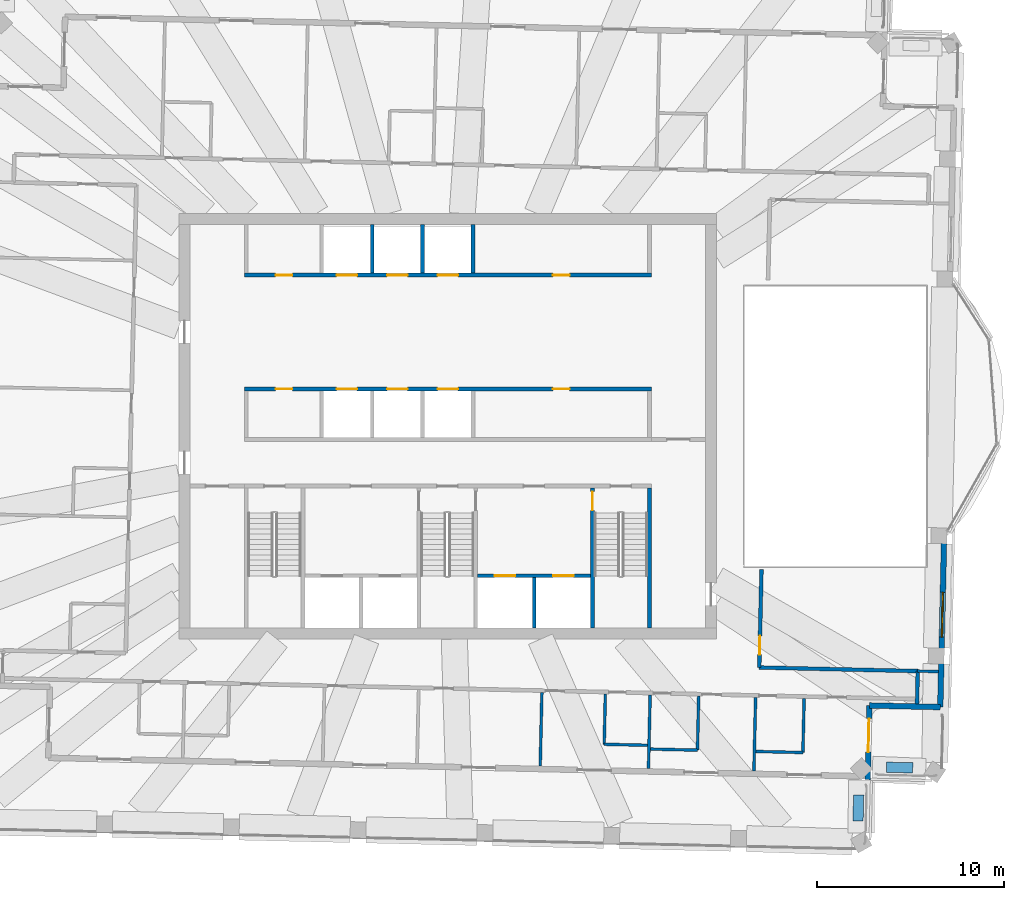
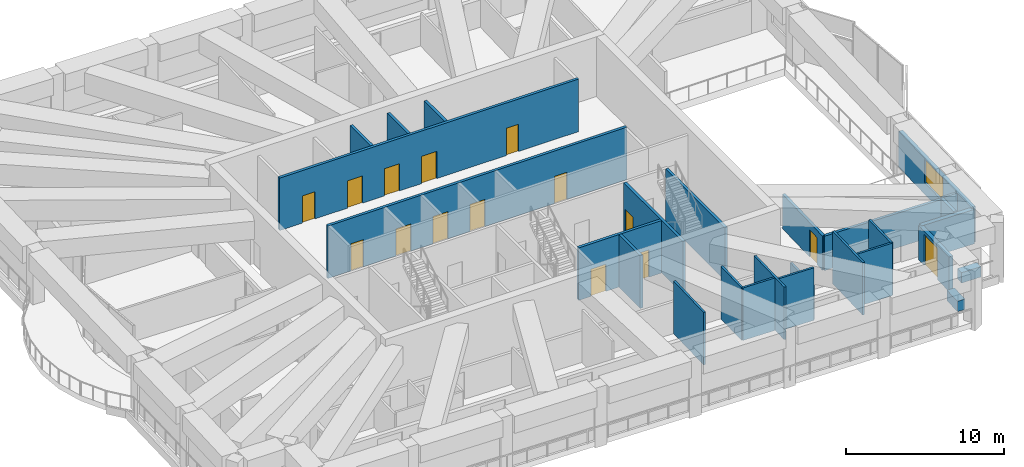
# One storey, part 9 of 17: 27 walls, 15 doors, 1 window, 16 openings.
"""IFC4 building model written with IfcOpenShell, lengths in metres."""

from ifc_helpers import new_model, si_unit, direction, frame, frame_2d, origin, place, context, subcontext, project, spatial, rectangle, extrude, material, layer, layer_set, type_object, element, fill, save


model = new_model("IFC4")

# Units and contexts
model_context = context("Model", 3, precision=1e-05, world=origin(), true_north=direction((0.0, 1.0)))
body_context = subcontext(model_context, "Body", "Model", "MODEL_VIEW")
ifc_project = project(units=[si_unit("LENGTHUNIT", "METRE"), si_unit("AREAUNIT", "SQUARE_METRE"), si_unit("VOLUMEUNIT", "CUBIC_METRE"), si_unit("PLANEANGLEUNIT", "RADIAN"), si_unit("MASSUNIT", "GRAM", prefix="KILO")], contexts=[model_context])

# Site, building, storey
site_placement = place(None, origin())
site = spatial("IfcSite", under=ifc_project, at=site_placement, CompositionType="ELEMENT")
building_placement = place(site_placement, origin())
building = spatial("IfcBuilding", under=site, at=building_placement, Name="Mangrove Gate Tower", CompositionType="ELEMENT")
storey_placement = place(building_placement, frame((0.0, 0.0, 337.89990234375)))
storey = spatial("IfcBuildingStorey", under=building, at=storey_placement, Name="L86", CompositionType="ELEMENT", Elevation=337.89990234375)

# Wall, openings, doors
ifc_material_1 = material(Name="Concrete C50/60", Category="concrete")
ifc_layer_1 = layer(ifc_material_1, 0.199951171875)
ifc_layer_set_1 = layer_set([ifc_layer_1], Name="Core shaft wall 200 C50/60")
wall_type_1 = type_object("IfcWallType", Name="Core shaft wall 200 C50/60", PredefinedType="SHEAR", material=ifc_layer_set_1)
wall_1_placement = place(storey_placement, frame((-10.89990234375, 2.0, 0.0), z_axis=(0.0, 0.0, 1.0), x_axis=(1.0, 0.0, 0.0)))
wall_1 = element("IfcWall", 1, at=wall_1_placement, inside=storey, type_object=wall_type_1, Name="WALL-L86-CORE-7", PredefinedType="SHEAR", context=body_context, shape_type="SweptSolid", body=[
    extrude(rectangle(XDim=21.7998046875, YDim=0.199951171875, at=frame_2d((10.89990234375, 0.0))), origin(), (0.0, 0.0, 1.0), 4.050048828125),
])
opening_1_placement = place(wall_1_placement, frame((4.949951171875, 0.0, 0.0)))
opening_1 = element("IfcOpeningElement", 2, at=opening_1_placement, cuts=wall_1, Name="Opening LD", PredefinedType="OPENING", context=body_context, shape_type="SweptSolid", body=[
    extrude(rectangle(XDim=1.10009765625, YDim=2.10009765625, at=frame_2d((0.550048828125, 1.050048828125))), frame((0.0, 0.10986328125, 0.0), z_axis=(0.0, -1.0, 0.0), x_axis=(1.0, 0.0, 0.0)), (0.0, 0.0, 1.0), 0.219970703125),
])
opening_2_placement = place(wall_1_placement, frame((7.64990234375, 0.0, 0.0)))
opening_2 = element("IfcOpeningElement", 3, at=opening_2_placement, cuts=wall_1, Name="Opening LD", PredefinedType="OPENING", context=body_context, shape_type="SweptSolid", body=[
    extrude(rectangle(XDim=1.10009765625, YDim=2.10009765625, at=frame_2d((0.550048828125, 1.050048828125))), frame((0.0, 0.10986328125, 0.0), z_axis=(0.0, -1.0, 0.0), x_axis=(1.0, 0.0, 0.0)), (0.0, 0.0, 1.0), 0.219970703125),
])
opening_3_placement = place(wall_1_placement, frame((10.35009765625, 0.0, 0.0)))
opening_3 = element("IfcOpeningElement", 4, at=opening_3_placement, cuts=wall_1, Name="Opening LD", PredefinedType="OPENING", context=body_context, shape_type="SweptSolid", body=[
    extrude(rectangle(XDim=1.10009765625, YDim=2.10009765625, at=frame_2d((0.550048828125, 1.050048828125))), frame((0.0, 0.10986328125, 0.0), z_axis=(0.0, -1.0, 0.0), x_axis=(1.0, 0.0, 0.0)), (0.0, 0.0, 1.0), 0.219970703125),
])
opening_4_placement = place(wall_1_placement, frame((1.675048828125, 0.0, 0.0)))
opening_4 = element("IfcOpeningElement", 5, at=opening_4_placement, cuts=wall_1, Name="Opening KD", PredefinedType="OPENING", context=body_context, shape_type="SweptSolid", body=[
    extrude(rectangle(XDim=0.89990234375, YDim=2.10009765625, at=frame_2d((0.449951171875, 1.050048828125))), frame((0.0, 0.10986328125, 0.0), z_axis=(0.0, -1.0, 0.0), x_axis=(1.0, 0.0, 0.0)), (0.0, 0.0, 1.0), 0.219970703125),
])
opening_5_placement = place(wall_1_placement, frame((16.52490234375, 0.0, 0.0)))
opening_5 = element("IfcOpeningElement", 6, at=opening_5_placement, cuts=wall_1, Name="Opening KD", PredefinedType="OPENING", context=body_context, shape_type="SweptSolid", body=[
    extrude(rectangle(XDim=0.89990234375, YDim=2.10009765625, at=frame_2d((0.449951171875, 1.050048828125))), frame((0.0, 0.10986328125, 0.0), z_axis=(0.0, -1.0, 0.0), x_axis=(1.0, 0.0, 0.0)), (0.0, 0.0, 1.0), 0.219970703125),
])
ifc_material_2 = material(Name="Fire-rated steel door set", Category="steel")
door_type_1 = type_object("IfcDoorType", Name="Core room door FD30S 900x2100", OperationType="SINGLE_SWING_RIGHT", PredefinedType="DOOR", material=ifc_material_2)
door_1_placement = place(opening_4_placement, origin())
door_1 = element("IfcDoor", 7, at=door_1_placement, inside=storey, type_object=door_type_1, Name="Core room door Pantry store", OperationType="SINGLE_SWING_RIGHT", OverallHeight=2.10009765625, OverallWidth=0.89990234375, PredefinedType="DOOR", context=body_context, shape_type="SweptSolid", body=[
    extrude(rectangle(XDim=0.89990234375, YDim=2.10009765625, at=frame_2d((0.449951171875, 1.050048828125))), frame((0.0, 0.02490234375, 0.0), z_axis=(0.0, -1.0, 0.0), x_axis=(1.0, 0.0, 0.0)), (0.0, 0.0, 1.0), 0.050048828125),
])
fill(opening_4, door_1)
door_2_placement = place(opening_5_placement, origin())
door_2 = element("IfcDoor", 8, at=door_2_placement, inside=storey, type_object=door_type_1, Name="Core room door Cleaner's store", OperationType="SINGLE_SWING_RIGHT", OverallHeight=2.10009765625, OverallWidth=0.89990234375, PredefinedType="DOOR", context=body_context, shape_type="SweptSolid", body=[
    extrude(rectangle(XDim=0.89990234375, YDim=2.10009765625, at=frame_2d((0.449951171875, 1.050048828125))), frame((0.0, 0.02490234375, 0.0), z_axis=(0.0, -1.0, 0.0), x_axis=(1.0, 0.0, 0.0)), (0.0, 0.0, 1.0), 0.050048828125),
])
fill(opening_5, door_2)
ifc_material_3 = material(Name="Stainless steel 316", Category="steel")
door_type_2 = type_object("IfcDoorType", Name="Lift landing door 1100x2100", OperationType="SLIDING_TO_LEFT", PredefinedType="DOOR", material=ifc_material_3)
door_3_placement = place(opening_1_placement, origin())
door_3 = element("IfcDoor", 9, at=door_3_placement, inside=storey, type_object=door_type_2, Name="Landing door LD H01", OperationType="SLIDING_TO_LEFT", OverallHeight=2.10009765625, OverallWidth=1.10009765625, PredefinedType="DOOR", context=body_context, shape_type="SweptSolid", body=[
    extrude(rectangle(XDim=1.10009765625, YDim=2.10009765625, at=frame_2d((0.550048828125, 1.050048828125))), frame((0.0, 0.02490234375, 0.0), z_axis=(0.0, -1.0, 0.0), x_axis=(1.0, 0.0, 0.0)), (0.0, 0.0, 1.0), 0.050048828125),
])
fill(opening_1, door_3)
door_4_placement = place(opening_2_placement, origin())
door_4 = element("IfcDoor", 10, at=door_4_placement, inside=storey, type_object=door_type_2, Name="Landing door LD H02", OperationType="SLIDING_TO_LEFT", OverallHeight=2.10009765625, OverallWidth=1.10009765625, PredefinedType="DOOR", context=body_context, shape_type="SweptSolid", body=[
    extrude(rectangle(XDim=1.10009765625, YDim=2.10009765625, at=frame_2d((0.550048828125, 1.050048828125))), frame((0.0, 0.02490234375, 0.0), z_axis=(0.0, -1.0, 0.0), x_axis=(1.0, 0.0, 0.0)), (0.0, 0.0, 1.0), 0.050048828125),
])
fill(opening_2, door_4)
door_5_placement = place(opening_3_placement, origin())
door_5 = element("IfcDoor", 11, at=door_5_placement, inside=storey, type_object=door_type_2, Name="Landing door LD H03", OperationType="SLIDING_TO_LEFT", OverallHeight=2.10009765625, OverallWidth=1.10009765625, PredefinedType="DOOR", context=body_context, shape_type="SweptSolid", body=[
    extrude(rectangle(XDim=1.10009765625, YDim=2.10009765625, at=frame_2d((0.550048828125, 1.050048828125))), frame((0.0, 0.02490234375, 0.0), z_axis=(0.0, -1.0, 0.0), x_axis=(1.0, 0.0, 0.0)), (0.0, 0.0, 1.0), 0.050048828125),
])
fill(opening_3, door_5)

wall_2_placement = place(storey_placement, frame((-10.89990234375, 8.10009765625, 0.0), z_axis=(0.0, 0.0, 1.0), x_axis=(1.0, 0.0, 0.0)))
wall_2 = element("IfcWall", 12, at=wall_2_placement, inside=storey, type_object=wall_type_1, Name="WALL-L86-CORE-8", PredefinedType="SHEAR", context=body_context, shape_type="SweptSolid", body=[
    extrude(rectangle(XDim=21.7998046875, YDim=0.199951171875, at=frame_2d((10.89990234375, 0.0))), origin(), (0.0, 0.0, 1.0), 4.050048828125),
])
opening_6_placement = place(wall_2_placement, frame((4.949951171875, 0.0, 0.0)))
opening_6 = element("IfcOpeningElement", 13, at=opening_6_placement, cuts=wall_2, Name="Opening LD", PredefinedType="OPENING", context=body_context, shape_type="SweptSolid", body=[
    extrude(rectangle(XDim=1.10009765625, YDim=2.10009765625, at=frame_2d((0.550048828125, 1.050048828125))), frame((0.0, 0.10986328125, 0.0), z_axis=(0.0, -1.0, 0.0), x_axis=(1.0, 0.0, 0.0)), (0.0, 0.0, 1.0), 0.219970703125),
])
opening_7_placement = place(wall_2_placement, frame((7.64990234375, 0.0, 0.0)))
opening_7 = element("IfcOpeningElement", 14, at=opening_7_placement, cuts=wall_2, Name="Opening LD", PredefinedType="OPENING", context=body_context, shape_type="SweptSolid", body=[
    extrude(rectangle(XDim=1.10009765625, YDim=2.10009765625, at=frame_2d((0.550048828125, 1.050048828125))), frame((0.0, 0.10986328125, 0.0), z_axis=(0.0, -1.0, 0.0), x_axis=(1.0, 0.0, 0.0)), (0.0, 0.0, 1.0), 0.219970703125),
])
opening_8_placement = place(wall_2_placement, frame((10.35009765625, 0.0, 0.0)))
opening_8 = element("IfcOpeningElement", 15, at=opening_8_placement, cuts=wall_2, Name="Opening LD", PredefinedType="OPENING", context=body_context, shape_type="SweptSolid", body=[
    extrude(rectangle(XDim=1.10009765625, YDim=2.10009765625, at=frame_2d((0.550048828125, 1.050048828125))), frame((0.0, 0.10986328125, 0.0), z_axis=(0.0, -1.0, 0.0), x_axis=(1.0, 0.0, 0.0)), (0.0, 0.0, 1.0), 0.219970703125),
])
opening_9_placement = place(wall_2_placement, frame((1.675048828125, 0.0, 0.0)))
opening_9 = element("IfcOpeningElement", 16, at=opening_9_placement, cuts=wall_2, Name="Opening KD", PredefinedType="OPENING", context=body_context, shape_type="SweptSolid", body=[
    extrude(rectangle(XDim=0.89990234375, YDim=2.10009765625, at=frame_2d((0.449951171875, 1.050048828125))), frame((0.0, 0.10986328125, 0.0), z_axis=(0.0, -1.0, 0.0), x_axis=(1.0, 0.0, 0.0)), (0.0, 0.0, 1.0), 0.219970703125),
])
opening_10_placement = place(wall_2_placement, frame((16.52490234375, 0.0, 0.0)))
opening_10 = element("IfcOpeningElement", 17, at=opening_10_placement, cuts=wall_2, Name="Opening RD", PredefinedType="OPENING", context=body_context, shape_type="SweptSolid", body=[
    extrude(rectangle(XDim=0.89990234375, YDim=2.10009765625, at=frame_2d((0.449951171875, 1.050048828125))), frame((0.0, 0.10986328125, 0.0), z_axis=(0.0, -1.0, 0.0), x_axis=(1.0, 0.0, 0.0)), (0.0, 0.0, 1.0), 0.219970703125),
])
door_6_placement = place(opening_9_placement, origin())
door_6 = element("IfcDoor", 18, at=door_6_placement, inside=storey, type_object=door_type_1, Name="Core room door Refuse store", OperationType="SINGLE_SWING_RIGHT", OverallHeight=2.10009765625, OverallWidth=0.89990234375, PredefinedType="DOOR", context=body_context, shape_type="SweptSolid", body=[
    extrude(rectangle(XDim=0.89990234375, YDim=2.10009765625, at=frame_2d((0.449951171875, 1.050048828125))), frame((0.0, 0.02490234375, 0.0), z_axis=(0.0, -1.0, 0.0), x_axis=(1.0, 0.0, 0.0)), (0.0, 0.0, 1.0), 0.050048828125),
])
fill(opening_9, door_6)
door_7_placement = place(opening_6_placement, origin())
door_7 = element("IfcDoor", 19, at=door_7_placement, inside=storey, type_object=door_type_2, Name="Landing door LD H04", OperationType="SLIDING_TO_LEFT", OverallHeight=2.10009765625, OverallWidth=1.10009765625, PredefinedType="DOOR", context=body_context, shape_type="SweptSolid", body=[
    extrude(rectangle(XDim=1.10009765625, YDim=2.10009765625, at=frame_2d((0.550048828125, 1.050048828125))), frame((0.0, 0.02490234375, 0.0), z_axis=(0.0, -1.0, 0.0), x_axis=(1.0, 0.0, 0.0)), (0.0, 0.0, 1.0), 0.050048828125),
])
fill(opening_6, door_7)
door_8_placement = place(opening_7_placement, origin())
door_8 = element("IfcDoor", 20, at=door_8_placement, inside=storey, type_object=door_type_2, Name="Landing door LD H05", OperationType="SLIDING_TO_LEFT", OverallHeight=2.10009765625, OverallWidth=1.10009765625, PredefinedType="DOOR", context=body_context, shape_type="SweptSolid", body=[
    extrude(rectangle(XDim=1.10009765625, YDim=2.10009765625, at=frame_2d((0.550048828125, 1.050048828125))), frame((0.0, 0.02490234375, 0.0), z_axis=(0.0, -1.0, 0.0), x_axis=(1.0, 0.0, 0.0)), (0.0, 0.0, 1.0), 0.050048828125),
])
fill(opening_7, door_8)
door_9_placement = place(opening_8_placement, origin())
door_9 = element("IfcDoor", 21, at=door_9_placement, inside=storey, type_object=door_type_2, Name="Landing door LD H06", OperationType="SLIDING_TO_LEFT", OverallHeight=2.10009765625, OverallWidth=1.10009765625, PredefinedType="DOOR", context=body_context, shape_type="SweptSolid", body=[
    extrude(rectangle(XDim=1.10009765625, YDim=2.10009765625, at=frame_2d((0.550048828125, 1.050048828125))), frame((0.0, 0.02490234375, 0.0), z_axis=(0.0, -1.0, 0.0), x_axis=(1.0, 0.0, 0.0)), (0.0, 0.0, 1.0), 0.050048828125),
])
fill(opening_8, door_9)
ifc_material_4 = material(Name="Fire-rated steel door set", Category="steel")
door_type_3 = type_object("IfcDoorType", Name="Riser door FD30S 900x2100", OperationType="SINGLE_SWING_LEFT", PredefinedType="DOOR", material=ifc_material_4)
door_10_placement = place(opening_10_placement, origin())
door_10 = element("IfcDoor", 22, at=door_10_placement, inside=storey, type_object=door_type_3, Name="Riser door Electrical room", OperationType="SINGLE_SWING_LEFT", OverallHeight=2.10009765625, OverallWidth=0.89990234375, PredefinedType="DOOR", context=body_context, shape_type="SweptSolid", body=[
    extrude(rectangle(XDim=0.89990234375, YDim=2.10009765625, at=frame_2d((0.449951171875, 1.050048828125))), frame((0.0, 0.02490234375, 0.0), z_axis=(0.0, -1.0, 0.0), x_axis=(1.0, 0.0, 0.0)), (0.0, 0.0, 1.0), 0.050048828125),
])
fill(opening_10, door_10)

wall_3_placement = place(storey_placement, frame((1.60009765625, -8.0, 0.0), z_axis=(0.0, 0.0, 1.0), x_axis=(1.0, 0.0, 0.0)))
wall_3 = element("IfcWall", 23, at=wall_3_placement, inside=storey, type_object=wall_type_1, Name="WALL-L86-CORE-17", PredefinedType="SHEAR", context=body_context, shape_type="SweptSolid", body=[
    extrude(rectangle(XDim=6.0498046875, YDim=0.199951171875, at=frame_2d((3.02490234375, 0.0))), origin(), (0.0, 0.0, 1.0), 4.050048828125),
])
opening_11_placement = place(wall_3_placement, frame((0.91259765625, 0.0, 0.0)))
opening_11 = element("IfcOpeningElement", 24, at=opening_11_placement, cuts=wall_3, Name="Opening LD", PredefinedType="OPENING", context=body_context, shape_type="SweptSolid", body=[
    extrude(rectangle(XDim=1.10009765625, YDim=2.10009765625, at=frame_2d((0.550048828125, 1.050048828125))), frame((0.0, 0.10986328125, 0.0), z_axis=(0.0, -1.0, 0.0), x_axis=(1.0, 0.0, 0.0)), (0.0, 0.0, 1.0), 0.219970703125),
])
opening_12_placement = place(wall_3_placement, frame((4.03759765625, 0.0, 0.0)))
opening_12 = element("IfcOpeningElement", 25, at=opening_12_placement, cuts=wall_3, Name="Opening LD", PredefinedType="OPENING", context=body_context, shape_type="SweptSolid", body=[
    extrude(rectangle(XDim=1.10009765625, YDim=2.10009765625, at=frame_2d((0.550048828125, 1.050048828125))), frame((0.0, 0.10986328125, 0.0), z_axis=(0.0, -1.0, 0.0), x_axis=(1.0, 0.0, 0.0)), (0.0, 0.0, 1.0), 0.219970703125),
])
door_11_placement = place(opening_11_placement, origin())
door_11 = element("IfcDoor", 26, at=door_11_placement, inside=storey, type_object=door_type_2, Name="Landing door LD FFL1", OperationType="SLIDING_TO_LEFT", OverallHeight=2.10009765625, OverallWidth=1.10009765625, PredefinedType="DOOR", context=body_context, shape_type="SweptSolid", body=[
    extrude(rectangle(XDim=1.10009765625, YDim=2.10009765625, at=frame_2d((0.550048828125, 1.050048828125))), frame((0.0, 0.02490234375, 0.0), z_axis=(0.0, -1.0, 0.0), x_axis=(1.0, 0.0, 0.0)), (0.0, 0.0, 1.0), 0.050048828125),
])
fill(opening_11, door_11)
door_12_placement = place(opening_12_placement, origin())
door_12 = element("IfcDoor", 27, at=door_12_placement, inside=storey, type_object=door_type_2, Name="Landing door LD FFL2", OperationType="SLIDING_TO_LEFT", OverallHeight=2.10009765625, OverallWidth=1.10009765625, PredefinedType="DOOR", context=body_context, shape_type="SweptSolid", body=[
    extrude(rectangle(XDim=1.10009765625, YDim=2.10009765625, at=frame_2d((0.550048828125, 1.050048828125))), frame((0.0, 0.02490234375, 0.0), z_axis=(0.0, -1.0, 0.0), x_axis=(1.0, 0.0, 0.0)), (0.0, 0.0, 1.0), 0.050048828125),
])
fill(opening_12, door_12)

# Walls
wall_4_placement = place(storey_placement, frame((4.625, -10.800048828125, 0.0), z_axis=(0.0, 0.0, 1.0), x_axis=(0.0, 1.0, 0.0)))
element("IfcWall", 28, at=wall_4_placement, inside=storey, type_object=wall_type_1, Name="WALL-L86-CORE-18", PredefinedType="SHEAR", context=body_context, shape_type="SweptSolid", body=[
    extrude(rectangle(XDim=2.699951171875, YDim=0.199951171875, at=frame_2d((1.35009765625, 0.0))), origin(), (0.0, 0.0, 1.0), 4.050048828125),
])
for number, where, z_axis, x_axis, name in (
    (29, (-4.050048828125, 8.199951171875, 0.0), (0.0, 0.0, 1.0), (0.0, 1.0, 0.0), "WALL-L86-CORE-27"),
    (30, (-1.35009765625, 8.199951171875, 0.0), (0.0, 0.0, 1.0), (0.0, 1.0, 0.0), "WALL-L86-CORE-28"),
    (31, (1.35009765625, 8.199951171875, 0.0), (0.0, 0.0, 1.0), (0.0, 1.0, 0.0), "WALL-L86-CORE-29"),
):
    element("IfcWall", number, at=place(storey_placement, frame(where, z_axis=z_axis, x_axis=x_axis)), inside=storey, type_object=wall_type_1, Name=name, PredefinedType="SHEAR", context=body_context, shape_type="SweptSolid", body=[
        extrude(rectangle(XDim=2.60009765625, YDim=0.199951171875, at=frame_2d((1.300048828125, 0.0))), origin(), (0.0, 0.0, 1.0), 4.050048828125),
    ])

# Wall, opening, door
ifc_material_5 = material(Name="Concrete C50/60", Category="concrete")
ifc_layer_2 = layer(ifc_material_5, 0.199951171875)
ifc_layer_set_2 = layer_set([ifc_layer_2], Name="Core stair wall 200 C50/60")
wall_type_2 = type_object("IfcWallType", Name="Core stair wall 200 C50/60", PredefinedType="SHEAR", material=ifc_layer_set_2)
wall_5_placement = place(storey_placement, frame((7.75, -10.800048828125, 0.0), z_axis=(0.0, 0.0, 1.0), x_axis=(0.0, 1.0, 0.0)))
wall_5 = element("IfcWall", 32, at=wall_5_placement, inside=storey, type_object=wall_type_2, Name="WALL-L86-CORE-13", PredefinedType="SHEAR", context=body_context, shape_type="SweptSolid", body=[
    extrude(rectangle(XDim=7.5, YDim=0.199951171875, at=frame_2d((3.75, 0.0))), origin(), (0.0, 0.0, 1.0), 4.050048828125),
])
opening_13_placement = place(wall_5_placement, frame((6.300048828125, 0.0, 0.0)))
opening_13 = element("IfcOpeningElement", 33, at=opening_13_placement, cuts=wall_5, Name="Opening STD10", PredefinedType="OPENING", context=body_context, shape_type="SweptSolid", body=[
    extrude(rectangle(XDim=1.0, YDim=2.10009765625, at=frame_2d((0.5, 1.050048828125))), frame((0.0, 0.10986328125, 0.0), z_axis=(0.0, -1.0, 0.0), x_axis=(1.0, 0.0, 0.0)), (0.0, 0.0, 1.0), 0.219970703125),
])
ifc_material_6 = material(Name="Fire-rated steel door set", Category="steel")
door_type_4 = type_object("IfcDoorType", Name="Stair door FD60 1000x2100", OperationType="SINGLE_SWING_RIGHT", PredefinedType="DOOR", material=ifc_material_6)
door_13_placement = place(opening_13_placement, origin())
door_13 = element("IfcDoor", 34, at=door_13_placement, inside=storey, type_object=door_type_4, Name="Stair door Stair 3 from fire-fighting lobby", OperationType="SINGLE_SWING_RIGHT", OverallHeight=2.10009765625, OverallWidth=1.0, PredefinedType="DOOR", context=body_context, shape_type="SweptSolid", body=[
    extrude(rectangle(XDim=1.0, YDim=2.10009765625, at=frame_2d((0.5, 1.050048828125))), frame((0.0, 0.02490234375, 0.0), z_axis=(0.0, -1.0, 0.0), x_axis=(1.0, 0.0, 0.0)), (0.0, 0.0, 1.0), 0.050048828125),
])
fill(opening_13, door_13)

# Walls
wall_6_placement = place(storey_placement, frame((10.800048828125, -10.800048828125, 0.0), z_axis=(0.0, 0.0, 1.0), x_axis=(0.0, 1.0, 0.0)))
element("IfcWall", 35, at=wall_6_placement, inside=storey, type_object=wall_type_2, Name="WALL-L86-CORE-14", PredefinedType="SHEAR", context=body_context, shape_type="SweptSolid", body=[
    extrude(rectangle(XDim=7.5, YDim=0.199951171875, at=frame_2d((3.75, 0.0))), origin(), (0.0, 0.0, 1.0), 4.050048828125),
])
ifc_material_7 = material(Name="Gypsum board on steel stud, EI 60", Category="steel")
ifc_layer_3 = layer(ifc_material_7, 0.199951171875)
ifc_layer_set_3 = layer_set([ifc_layer_3], Name="Corridor wall EI 60")
wall_type_3 = type_object("IfcWallType", Name="Corridor wall EI 60", PredefinedType="PARTITIONING", material=ifc_layer_set_3)
wall_7_placement = place(storey_placement, frame((25.132080078125, -14.861083984375, 0.0), z_axis=(0.0, 0.0, 1.0), x_axis=(0.02287347828, 0.99973836777, 0.0)))
element("IfcWall", 36, at=wall_7_placement, inside=storey, type_object=wall_type_3, Name="WALL-L86-018", PredefinedType="PARTITIONING", context=body_context, shape_type="SweptSolid", body=[
    extrude(rectangle(XDim=1.75048828125, YDim=0.199951171875, at=frame_2d((0.875244140625, 0.0))), origin(), (0.0, 0.0, 1.0), 2.75),
])
wall_8_placement = place(storey_placement, frame((16.678955078125, -12.91796875, 0.0), z_axis=(0.0, 0.0, 1.0), x_axis=(0.999741598108, -0.022731850181, 0.0)))
element("IfcWall", 37, at=wall_8_placement, inside=storey, type_object=wall_type_3, Name="WALL-L86-023", PredefinedType="PARTITIONING", context=body_context, shape_type="SweptSolid", body=[
    extrude(rectangle(XDim=8.495361328125, YDim=0.199951171875, at=frame_2d((4.24755859375, 0.0))), origin(), (0.0, 0.0, 1.0), 2.650146484375),
])

# Wall, opening, door
wall_9_placement = place(storey_placement, frame((16.68408203125, -12.9189453125, 0.0), z_axis=(0.0, 0.0, 1.0), x_axis=(0.022667483124, 0.999743059595, 0.0)))
wall_9 = element("IfcWall", 38, at=wall_9_placement, inside=storey, type_object=wall_type_3, Name="WALL-L86-024", PredefinedType="PARTITIONING", context=body_context, shape_type="SweptSolid", body=[
    extrude(rectangle(XDim=5.245361328125, YDim=0.199951171875, at=frame_2d((2.62255859375, 0.0))), origin(), (0.0, 0.0, 1.0), 2.650146484375),
])
opening_14_placement = place(wall_9_placement, frame((0.69091796875, 0.0, 0.0)))
opening_14 = element("IfcOpeningElement", 39, at=opening_14_placement, cuts=wall_9, Name="Opening AD", PredefinedType="OPENING", context=body_context, shape_type="SweptSolid", body=[
    extrude(rectangle(XDim=1.0, YDim=2.10009765625, at=frame_2d((0.5, 1.050048828125))), frame((0.0, 0.10986328125, 0.0), z_axis=(0.0, -1.0, 0.0), x_axis=(1.0, 0.0, 0.0)), (0.0, 0.0, 1.0), 0.219970703125),
])
ifc_material_8 = material(Name="Timber door leaf", Category="wood")
door_type_5 = type_object("IfcDoorType", Name="Amenity door 1000", OperationType="SINGLE_SWING_LEFT", PredefinedType="DOOR", material=ifc_material_8)
door_14_placement = place(opening_14_placement, origin())
door_14 = element("IfcDoor", 40, at=door_14_placement, inside=storey, type_object=door_type_5, Name="DOOR-L86-LNG-c2a", OperationType="SINGLE_SWING_RIGHT", OverallHeight=2.10009765625, OverallWidth=1.0, PredefinedType="DOOR", context=body_context, shape_type="SweptSolid", body=[
    extrude(rectangle(XDim=1.0, YDim=2.10009765625, at=frame_2d((0.5, 1.050048828125))), frame((0.0, 0.02490234375, 0.0), z_axis=(0.0, -1.0, 0.0), x_axis=(1.0, 0.0, 0.0)), (0.0, 0.0, 1.0), 0.050048828125),
])
fill(opening_14, door_14)

# Wall, opening, window
ifc_material_9 = material(Name="Limestone", Category="masonry")
ifc_layer_4 = layer(ifc_material_9, 0.0400390625, Name="Limestone cladding")
ifc_material_10 = material(Name="Ventilated air gap")
ifc_layer_5 = layer(ifc_material_10, 0.0400390625, Name="Ventilated cavity")
ifc_material_11 = material(Name="Mineral wool insulation")
ifc_layer_6 = layer(ifc_material_11, 0.06005859375, Name="Insulation")
ifc_material_12 = material(Name="Breather membrane")
ifc_layer_7 = layer(ifc_material_12, 0.001953125, Name="Breather membrane")
ifc_material_13 = material(Name="Concrete C20/25 blockwork", Category="masonry")
ifc_layer_8 = layer(ifc_material_13, 0.14990234375, Name="Blockwork backing wall")
ifc_material_14 = material(Name="Gypsum plaster")
ifc_layer_9 = layer(ifc_material_14, 0.008056640625, Name="Internal plaster")
ifc_layer_set_4 = layer_set([ifc_layer_4, ifc_layer_5, ifc_layer_6, ifc_layer_7, ifc_layer_8, ifc_layer_9], Name="External wall 300 limestone cladding")
wall_type_4 = type_object("IfcWallType", Name="External wall 300 limestone cladding", PredefinedType="SOLIDWALL", material=ifc_layer_set_4)
wall_10_placement = place(storey_placement, frame((26.37890625, -15.0390625, 0.0), z_axis=(0.0, 0.0, 1.0), x_axis=(0.022668695782, 0.9997430321, 0.0)))
wall_10 = element("IfcWall", 41, at=wall_10_placement, inside=storey, type_object=wall_type_4, Name="WALL-L86-E0s1", PredefinedType="SOLIDWALL", context=body_context, shape_type="SweptSolid", body=[
    extrude(rectangle(XDim=9.574462890625, YDim=0.300048828125, at=frame_2d((4.787109375, 0.0))), origin(), (0.0, 0.0, 1.0), 2.75),
])
opening_15_placement = place(wall_10_placement, frame((3.751953125, 0.0, 0.89990234375)))
opening_15 = element("IfcOpeningElement", 42, at=opening_15_placement, cuts=wall_10, Name="Opening W3", PredefinedType="OPENING", context=body_context, shape_type="SweptSolid", body=[
    extrude(rectangle(XDim=2.39990234375, YDim=1.800048828125, at=frame_2d((1.199951171875, 0.89990234375))), frame((0.0, 0.159912109375, 0.0), z_axis=(0.0, -1.0, 0.0), x_axis=(1.0, 0.0, 0.0)), (0.0, 0.0, 1.0), 0.320068359375),
])
ifc_material_15 = material(Name="Aluminium frame with double-glazed low-e glass", Category="aluminium")
window_type = type_object("IfcWindowType", Name="Podium window 2400x1800", PartitioningType="DOUBLE_PANEL_VERTICAL", PredefinedType="WINDOW", material=ifc_material_15)
window_placement = place(opening_15_placement, origin())
window = element("IfcWindow", 43, at=window_placement, inside=storey, type_object=window_type, Name="WIN-L86-E0-1", OverallHeight=1.800048828125, OverallWidth=2.39990234375, PartitioningType="DOUBLE_PANEL_VERTICAL", PredefinedType="WINDOW", context=body_context, shape_type="SweptSolid", body=[
    extrude(rectangle(XDim=2.39990234375, YDim=1.800048828125, at=frame_2d((1.199951171875, 0.89990234375))), frame((0.0, 0.030029296875, 0.0), z_axis=(0.0, -1.0, 0.0), x_axis=(1.0, 0.0, 0.0)), (0.0, 0.0, 1.0), 0.06005859375),
])
fill(opening_15, window)

# Wall, opening, door
wall_11_placement = place(storey_placement, frame((22.489013671875, -18.927978515625, 0.0), z_axis=(0.0, 0.0, 1.0), x_axis=(0.022902724569, 0.999737698203, 0.0)))
wall_11 = element("IfcWall", 44, at=wall_11_placement, inside=storey, type_object=wall_type_4, Name="WALL-L86-E14s1", PredefinedType="SOLIDWALL", context=body_context, shape_type="SweptSolid", body=[
    extrude(rectangle(XDim=3.97607421875, YDim=0.300048828125, at=frame_2d((1.988037109375, 0.0))), origin(), (0.0, 0.0, 1.0), 2.650146484375),
])
opening_16_placement = place(wall_11_placement, frame((1.47705078125, 0.0, 0.0)))
opening_16 = element("IfcOpeningElement", 45, at=opening_16_placement, cuts=wall_11, Name="Opening TD1", PredefinedType="OPENING", context=body_context, shape_type="SweptSolid", body=[
    extrude(rectangle(XDim=1.800048828125, YDim=2.39990234375, at=frame_2d((0.89990234375, 1.199951171875))), frame((0.0, 0.159912109375, 0.0), z_axis=(0.0, -1.0, 0.0), x_axis=(1.0, 0.0, 0.0)), (0.0, 0.0, 1.0), 0.320068359375),
])
ifc_material_16 = material(Name="Aluminium frame with laminated clear glass", Category="aluminium")
door_type_6 = type_object("IfcDoorType", Name="Terrace door 1800x2400", OperationType="DOUBLE_DOOR_SINGLE_SWING", PredefinedType="DOOR", material=ifc_material_16)
door_15_placement = place(opening_16_placement, origin())
door_15 = element("IfcDoor", 46, at=door_15_placement, inside=storey, type_object=door_type_6, Name="DOOR-L86-E14-1", OperationType="DOUBLE_DOOR_SINGLE_SWING", OverallHeight=2.39990234375, OverallWidth=1.800048828125, PredefinedType="DOOR", context=body_context, shape_type="SweptSolid", body=[
    extrude(rectangle(XDim=1.800048828125, YDim=2.39990234375, at=frame_2d((0.89990234375, 1.199951171875))), frame((0.0, 0.02490234375, 0.0), z_axis=(0.0, -1.0, 0.0), x_axis=(1.0, 0.0, 0.0)), (0.0, 0.0, 1.0), 0.050048828125),
])
fill(opening_16, door_15)

# Walls
wall_12_placement = place(storey_placement, frame((22.580078125, -14.952880859375, 0.0), z_axis=(0.0, 0.0, 1.0), x_axis=(0.999742763477, -0.022680539557, 0.0)))
element("IfcWall", 47, at=wall_12_placement, inside=storey, type_object=wall_type_4, Name="WALL-L86-S15", PredefinedType="SOLIDWALL", context=body_context, shape_type="SweptSolid", body=[
    extrude(rectangle(XDim=3.7998046875, YDim=0.300048828125, at=frame_2d((1.89990234375, 0.0))), origin(), (0.0, 0.0, 1.0), 2.650146484375),
])
ifc_material_17 = material(Name="Gypsum board on steel stud, EI 60", Category="steel")
ifc_layer_10 = layer(ifc_material_17, 0.14990234375)
ifc_layer_set_5 = layer_set([ifc_layer_10], Name="Party wall 150 EI 60")
wall_type_5 = type_object("IfcWallType", Name="Party wall 150 EI 60", PredefinedType="PARTITIONING", material=ifc_layer_set_5)
wall_13_placement = place(storey_placement, frame((4.950927734375, -18.2041015625, 0.0), z_axis=(0.0, 0.0, 1.0), x_axis=(0.022805639811, 0.999739917575, 0.0)))
element("IfcWall", 48, at=wall_13_placement, inside=storey, type_object=wall_type_5, Name="WALL-L86-004", PredefinedType="PARTITIONING", context=body_context, shape_type="SweptSolid", body=[
    extrude(rectangle(XDim=3.9501953125, YDim=0.14990234375, at=frame_2d((1.97509765625, 0.0))), origin(), (0.0, 0.0, 1.0), 4.050048828125),
])
wall_14_placement = place(storey_placement, frame((10.75, -18.3349609375, 0.0), z_axis=(0.0, 0.0, 1.0), x_axis=(0.022559944643, 0.999745492062, 0.0)))
element("IfcWall", 49, at=wall_14_placement, inside=storey, type_object=wall_type_5, Name="WALL-L86-005", PredefinedType="PARTITIONING", context=body_context, shape_type="SweptSolid", body=[
    extrude(rectangle(XDim=3.949951171875, YDim=0.14990234375, at=frame_2d((1.97509765625, 0.0))), origin(), (0.0, 0.0, 1.0), 4.050048828125),
])
wall_15_placement = place(storey_placement, frame((16.39794921875, -18.464111328125, 0.0), z_axis=(0.0, 0.0, 1.0), x_axis=(0.022805639811, 0.999739917575, 0.0)))
element("IfcWall", 50, at=wall_15_placement, inside=storey, type_object=wall_type_5, Name="WALL-L86-006", PredefinedType="PARTITIONING", context=body_context, shape_type="SweptSolid", body=[
    extrude(rectangle(XDim=3.9501953125, YDim=0.14990234375, at=frame_2d((1.97509765625, 0.0))), origin(), (0.0, 0.0, 1.0), 4.050048828125),
])
wall_16_placement = place(storey_placement, frame((10.84912109375, -17.287109375, 0.0), z_axis=(0.0, 0.0, 1.0), x_axis=(0.999737322729, -0.022919108675, 0.0)))
element("IfcWall", 51, at=wall_16_placement, inside=storey, type_object=wall_type_5, Name="WALL-L86-007", PredefinedType="PARTITIONING", context=body_context, shape_type="SweptSolid", body=[
    extrude(rectangle(XDim=2.524658203125, YDim=0.14990234375, at=frame_2d((1.26220703125, 0.0))), origin(), (0.0, 0.0, 1.0), 4.050048828125),
])
wall_17_placement = place(storey_placement, frame((13.373046875, -17.344970703125, 0.0), z_axis=(0.0, 0.0, 1.0), x_axis=(0.022725229174, 0.999741748633, 0.0)))
element("IfcWall", 52, at=wall_17_placement, inside=storey, type_object=wall_type_5, Name="WALL-L86-008", PredefinedType="PARTITIONING", context=body_context, shape_type="SweptSolid", body=[
    extrude(rectangle(XDim=2.900634765625, YDim=0.14990234375, at=frame_2d((1.4501953125, 0.0))), origin(), (0.0, 0.0, 1.0), 2.650146484375),
])
wall_18_placement = place(storey_placement, frame((16.4970703125, -17.4150390625, 0.0), z_axis=(0.0, 0.0, 1.0), x_axis=(0.999737322729, -0.022919108675, 0.0)))
element("IfcWall", 53, at=wall_18_placement, inside=storey, type_object=wall_type_5, Name="WALL-L86-009", PredefinedType="PARTITIONING", context=body_context, shape_type="SweptSolid", body=[
    extrude(rectangle(XDim=2.524658203125, YDim=0.14990234375, at=frame_2d((1.26220703125, 0.0))), origin(), (0.0, 0.0, 1.0), 4.050048828125),
])
wall_19_placement = place(storey_placement, frame((19.02099609375, -17.472900390625, 0.0), z_axis=(0.0, 0.0, 1.0), x_axis=(0.022732880677, 0.999741574676, 0.0)))
element("IfcWall", 54, at=wall_19_placement, inside=storey, type_object=wall_type_5, Name="WALL-L86-010", PredefinedType="PARTITIONING", context=body_context, shape_type="SweptSolid", body=[
    extrude(rectangle(XDim=2.899658203125, YDim=0.14990234375, at=frame_2d((1.44970703125, 0.0))), origin(), (0.0, 0.0, 1.0), 4.050048828125),
])
wall_20_placement = place(storey_placement, frame((8.37890625, -17.031005859375, 0.0), z_axis=(0.0, 0.0, 1.0), x_axis=(0.999740260747, -0.02279059109, 0.0)))
element("IfcWall", 55, at=wall_20_placement, inside=storey, type_object=wall_type_5, Name="WALL-L86-014", PredefinedType="PARTITIONING", context=body_context, shape_type="SweptSolid", body=[
    extrude(rectangle(XDim=2.324462890625, YDim=0.14990234375, at=frame_2d((1.162109375, 0.0))), origin(), (0.0, 0.0, 1.0), 4.050048828125),
])
wall_21_placement = place(storey_placement, frame((8.37890625, -17.031005859375, 0.0), z_axis=(0.0, 0.0, 1.0), x_axis=(0.02260842146, 0.999744396973, 0.0)))
element("IfcWall", 56, at=wall_21_placement, inside=storey, type_object=wall_type_5, Name="WALL-L86-015", PredefinedType="PARTITIONING", context=body_context, shape_type="SweptSolid", body=[
    extrude(rectangle(XDim=2.69970703125, YDim=0.14990234375, at=frame_2d((1.349853515625, 0.0))), origin(), (0.0, 0.0, 1.0), 4.050048828125),
])
wall_22_placement = place(storey_placement, frame((25.16796875, -13.111083984375, 0.0), z_axis=(0.0, 0.0, 1.0), x_axis=(0.999745701647, -0.022550654924, 0.0)))
element("IfcWall", 57, at=wall_22_placement, inside=storey, type_object=wall_type_5, Name="WALL-L86-025", PredefinedType="PARTITIONING", context=body_context, shape_type="SweptSolid", body=[
    extrude(rectangle(XDim=1.104248046875, YDim=0.14990234375, at=frame_2d((0.55224609375, 0.0))), origin(), (0.0, 0.0, 1.0), 2.75),
])
ifc_material_18 = material(Name="Concrete C32/40", Category="concrete")
ifc_layer_11 = layer(ifc_material_18, 0.199951171875, Name="Planter trough wall")
ifc_material_19 = material(Name="Bituminous waterproofing membrane")
ifc_layer_12 = layer(ifc_material_19, 0.0048828125, Name="Waterproofing")
ifc_material_20 = material(Name="Drainage board and gravel")
ifc_layer_13 = layer(ifc_material_20, 0.044921875, Name="Drainage layer")
ifc_material_21 = material(Name="Planting soil")
ifc_layer_14 = layer(ifc_material_21, 0.300048828125, Name="Growing medium")
ifc_layer_set_6 = layer_set([ifc_layer_11, ifc_layer_12, ifc_layer_13, ifc_layer_14], Name="Planter wall 550 C32/40")
wall_type_6 = type_object("IfcWallType", Name="Planter wall 550 C32/40", PredefinedType="USERDEFINED", material=ifc_layer_set_6)
wall_23_placement = place(storey_placement, frame((24.904052734375, -18.291015625, 0.0), z_axis=(0.0, 0.0, 1.0), x_axis=(-0.999754553574, 0.022154742332, 0.0)))
element("IfcWall", 58, at=wall_23_placement, inside=storey, type_object=wall_type_6, Name="PLANTER L86 T2.1.6", ObjectType="PLANTER", PredefinedType="USERDEFINED", context=body_context, shape_type="SweptSolid", body=[
    extrude(rectangle(XDim=1.3994140625, YDim=0.550048828125, at=frame_2d((0.69970703125, 0.0))), origin(), (0.0, 0.0, 1.0), 0.800048828125),
])
wall_24_placement = place(storey_placement, frame((22.006103515625, -19.740966796875, 0.0), z_axis=(0.0, 0.0, 1.0), x_axis=(-0.022836240226, -0.999739219063, 0.0)))
element("IfcWall", 59, at=wall_24_placement, inside=storey, type_object=wall_type_6, Name="PLANTER L86 T3.5.6", ObjectType="PLANTER", PredefinedType="USERDEFINED", context=body_context, shape_type="SweptSolid", body=[
    extrude(rectangle(XDim=1.400390625, YDim=0.550048828125, at=frame_2d((0.7001953125, 0.0))), origin(), (0.0, 0.0, 1.0), 0.800048828125),
])

save(model, "model.ifc")
